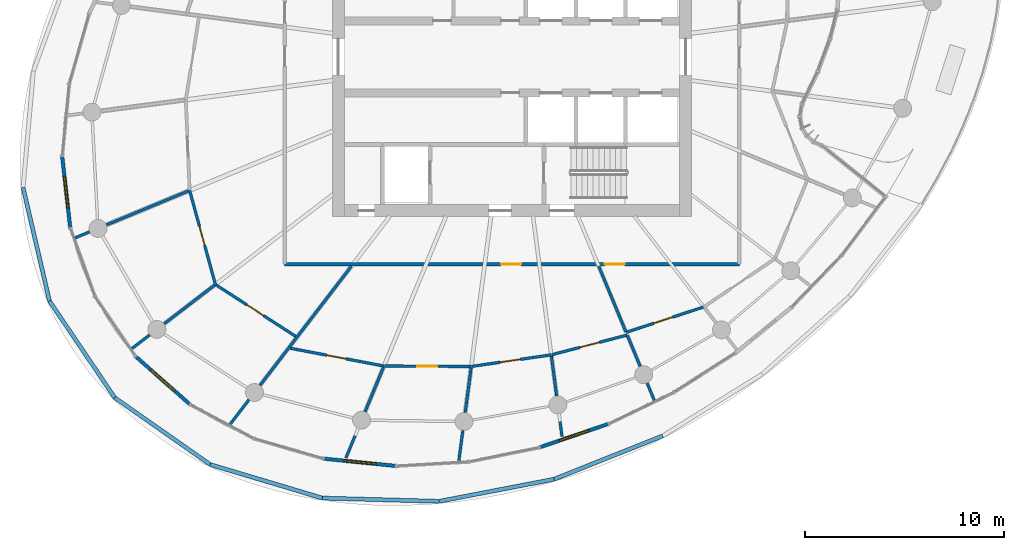
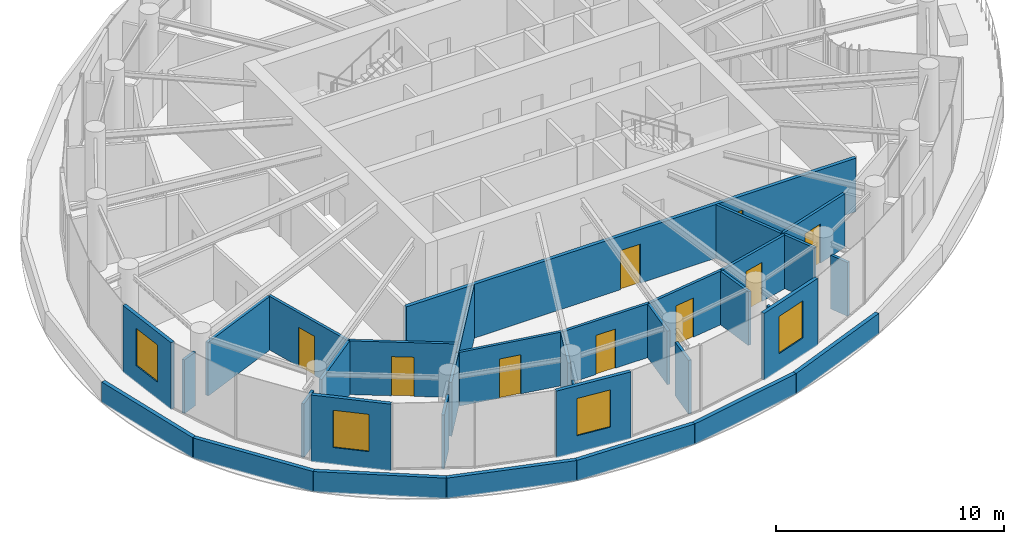
# One storey, part 11 of 19: 35 walls, 9 doors, 4 windows, 13 openings.
"""IFC4 building model written with IfcOpenShell, lengths in metres."""

from ifc_helpers import new_model, si_unit, direction, frame, frame_2d, origin, place, context, subcontext, project, spatial, rectangle, extrude, source, transform, mapped, material, layer, layer_set, type_object, element, fill, save


model = new_model("IFC4")

# Units and contexts
model_context = context("Model", 3, precision=1e-05, world=origin(), true_north=direction((0.0, 1.0)))
body_context = subcontext(model_context, "Body", "Model", "MODEL_VIEW")
ifc_project = project(units=[si_unit("LENGTHUNIT", "METRE"), si_unit("AREAUNIT", "SQUARE_METRE"), si_unit("VOLUMEUNIT", "CUBIC_METRE"), si_unit("PLANEANGLEUNIT", "RADIAN"), si_unit("MASSUNIT", "GRAM", prefix="KILO")], contexts=[model_context])

# Site, building, storey
site_placement = place(None, origin())
site = spatial("IfcSite", under=ifc_project, at=site_placement, CompositionType="ELEMENT")
building_placement = place(site_placement, origin())
building = spatial("IfcBuilding", under=site, at=building_placement, Name="Spindrift Exchange Tower", CompositionType="ELEMENT")
storey_placement = place(building_placement, frame((0.0, 0.0, 183.800048828125)))
storey = spatial("IfcBuildingStorey", under=building, at=storey_placement, Name="L44", CompositionType="ELEMENT", Elevation=183.800048828125)

# Walls
ifc_material_1 = material(Name="Concrete 40 MPa", Category="concrete")
ifc_layer_1 = layer(ifc_material_1, 0.199951171875)
ifc_layer_set_1 = layer_set([ifc_layer_1], Name="LEDGE PARAPET 1100")
wall_type_1 = type_object("IfcWallType", Name="LEDGE PARAPET 1100", PredefinedType="PARAPET", material=ifc_layer_set_1)
wall_1_placement = place(storey_placement, frame((59.556396484375, 29.005126953125, 0.0), z_axis=(0.0, 0.0, 1.0), x_axis=(-0.928728959039, -0.370759383755, 0.0)))
element("IfcWall", 1, at=wall_1_placement, inside=storey, type_object=wall_type_1, Name="L44 Ledge Parapet 4", PredefinedType="PARAPET", context=body_context, shape_type="SweptSolid", body=[
    extrude(rectangle(XDim=5.868408203125, YDim=0.199951171875, at=frame_2d((2.93408203125, 0.0))), origin(), (0.0, 0.0, 1.0), 1.099853515625),
])
wall_2_placement = place(storey_placement, frame((54.106201171875, 26.829345703125, 0.0), z_axis=(0.0, 0.0, 1.0), x_axis=(-0.981997837931, -0.188892155205, 0.0)))
element("IfcWall", 2, at=wall_2_placement, inside=storey, type_object=wall_type_1, Name="L44 Ledge Parapet 5", PredefinedType="PARAPET", context=body_context, shape_type="SweptSolid", body=[
    extrude(rectangle(XDim=5.86669921875, YDim=0.199951171875, at=frame_2d((2.933349609375, 0.0))), origin(), (0.0, 0.0, 1.0), 1.099853515625),
])
wall_3_placement = place(storey_placement, frame((48.34521484375, 25.72119140625, 0.0), z_axis=(0.0, 0.0, 1.0), x_axis=(-0.999606060355, 0.028066423024, 0.0)))
element("IfcWall", 3, at=wall_3_placement, inside=storey, type_object=wall_type_1, Name="L44 Ledge Parapet 6", PredefinedType="PARAPET", context=body_context, shape_type="SweptSolid", body=[
    extrude(rectangle(XDim=5.86279296875, YDim=0.199951171875, at=frame_2d((2.931396484375, 0.0))), origin(), (0.0, 0.0, 1.0), 1.099853515625),
])
wall_4_placement = place(storey_placement, frame((42.484619140625, 25.8857421875, 0.0), z_axis=(0.0, 0.0, 1.0), x_axis=(-0.958052046342, 0.286594271576, 0.0)))
element("IfcWall", 4, at=wall_4_placement, inside=storey, type_object=wall_type_1, Name="L44 Ledge Parapet 7", PredefinedType="PARAPET", context=body_context, shape_type="SweptSolid", body=[
    extrude(rectangle(XDim=5.855712890625, YDim=0.199951171875, at=frame_2d((2.927734375, 0.0))), origin(), (0.0, 0.0, 1.0), 1.099853515625),
])
wall_5_placement = place(storey_placement, frame((36.87451171875, 27.56396484375, 0.0), z_axis=(0.0, 0.0, 1.0), x_axis=(-0.819257423142, 0.573425910321, 0.0)))
element("IfcWall", 5, at=wall_5_placement, inside=storey, type_object=wall_type_1, Name="L44 Ledge Parapet 8", PredefinedType="PARAPET", context=body_context, shape_type="SweptSolid", body=[
    extrude(rectangle(XDim=5.846435546875, YDim=0.199951171875, at=frame_2d((2.92333984375, 0.0))), origin(), (0.0, 0.0, 1.0), 1.099853515625),
])
wall_6_placement = place(storey_placement, frame((32.084716796875, 30.91650390625, 0.0), z_axis=(0.0, 0.0, 1.0), x_axis=(-0.559388155202, 0.828905840141, 0.0)))
element("IfcWall", 6, at=wall_6_placement, inside=storey, type_object=wall_type_1, Name="L44 Ledge Parapet 9", PredefinedType="PARAPET", context=body_context, shape_type="SweptSolid", body=[
    extrude(rectangle(XDim=5.841796875, YDim=0.199951171875, at=frame_2d((2.9208984375, 0.0))), origin(), (0.0, 0.0, 1.0), 1.099853515625),
])
wall_7_placement = place(storey_placement, frame((28.81689453125, 35.7587890625, 0.0), z_axis=(0.0, 0.0, 1.0), x_axis=(-0.22693261975, 0.973910461025, 0.0)))
element("IfcWall", 7, at=wall_7_placement, inside=storey, type_object=wall_type_1, Name="L44 Ledge Parapet 10", PredefinedType="PARAPET", context=body_context, shape_type="SweptSolid", body=[
    extrude(rectangle(XDim=5.84716796875, YDim=0.199951171875, at=frame_2d((2.923583984375, 0.0))), origin(), (0.0, 0.0, 1.0), 1.099853515625),
])

# Wall, opening, window
ifc_material_2 = material(Name="Bronze anodised aluminium frame with fritted laminated glass spandrel", Category="aluminium")
ifc_layer_2 = layer(ifc_material_2, 0.179931640625)
ifc_layer_set_2 = layer_set([ifc_layer_2], Name="UNITISED FRAME WALL")
wall_type_2 = type_object("IfcWallType", Name="UNITISED FRAME WALL", PredefinedType="STANDARD", material=ifc_layer_set_2)
wall_8_placement = place(storey_placement, frame((29.45361328125, 42.998046875, 0.0), z_axis=(0.0, 0.0, 1.0), x_axis=(0.111594009662, -0.993753881506, 0.0)))
wall_8 = element("IfcWall", 8, at=wall_8_placement, inside=storey, type_object=wall_type_2, Name="L44 Frame Wall 11", PredefinedType="STANDARD", context=body_context, shape_type="SweptSolid", body=[
    extrude(rectangle(XDim=3.572509765625, YDim=0.179931640625, at=frame_2d((1.7861328125, 0.0))), origin(), (0.0, 0.0, 1.0), 3.579833984375),
])
opening_1_placement = place(wall_8_placement, frame((0.986083984375, 0.0, 0.89990234375)))
opening_1 = element("IfcOpeningElement", 9, at=opening_1_placement, cuts=wall_8, Name="Opening WV44-04", PredefinedType="OPENING", context=body_context, shape_type="SweptSolid", body=[
    extrude(rectangle(XDim=1.60009765625, YDim=2.0, at=frame_2d((0.800048828125, 1.0))), frame((0.0, 0.099853515625, 0.0), z_axis=(0.0, -1.0, 0.0), x_axis=(1.0, 0.0, 0.0)), (0.0, 0.0, 1.0), 0.199951171875),
])
ifc_material_3 = material(Name="Clear laminated low-iron glass in bronze frame", Category="glass")
window_type = type_object("IfcWindowType", Name="OPERABLE CLEAR VENT 1600X2000", PartitioningType="SINGLE_PANEL", PredefinedType="WINDOW", material=ifc_material_3)
shared_shape_1 = source(origin(), body_context, "Body", "SweptSolid", [
    extrude(rectangle(XDim=1.60009765625, YDim=2.0, at=frame_2d((0.800048828125, 1.0))), frame((0.0, 0.030029296875, 0.0), z_axis=(0.0, -1.0, 0.0), x_axis=(1.0, 0.0, 0.0)), (0.0, 0.0, 1.0), 0.06005859375),
])
window_1_placement = place(opening_1_placement, origin())
window_1 = element("IfcWindow", 10, at=window_1_placement, inside=storey, type_object=window_type, Name="L44 Operable Vent WV44-04", OverallHeight=2.0, OverallWidth=1.60009765625, PartitioningType="SINGLE_PANEL", PredefinedType="WINDOW", context=body_context, shape_type="MappedRepresentation", body=[
    mapped(shared_shape_1, transform((0.0, 0.0, 0.0), scale=1.0)),
])
fill(opening_1, window_1)

wall_9_placement = place(storey_placement, frame((33.154296875, 32.96630859375, 0.0), z_axis=(0.0, 0.0, 1.0), x_axis=(0.749604367719, -0.661886162339, 0.0)))
wall_9 = element("IfcWall", 11, at=wall_9_placement, inside=storey, type_object=wall_type_2, Name="L44 Frame Wall 14", PredefinedType="STANDARD", context=body_context, shape_type="SweptSolid", body=[
    extrude(rectangle(XDim=3.57080078125, YDim=0.179931640625, at=frame_2d((1.785400390625, 0.0))), origin(), (0.0, 0.0, 1.0), 3.579833984375),
])
opening_2_placement = place(wall_9_placement, frame((0.9853515625, 0.0, 0.89990234375)))
opening_2 = element("IfcOpeningElement", 12, at=opening_2_placement, cuts=wall_9, Name="Opening WV44-05", PredefinedType="OPENING", context=body_context, shape_type="SweptSolid", body=[
    extrude(rectangle(XDim=1.60009765625, YDim=2.0, at=frame_2d((0.800048828125, 1.0))), frame((0.0, 0.099853515625, 0.0), z_axis=(0.0, -1.0, 0.0), x_axis=(1.0, 0.0, 0.0)), (0.0, 0.0, 1.0), 0.199951171875),
])
window_2_placement = place(opening_2_placement, origin())
window_2 = element("IfcWindow", 13, at=window_2_placement, inside=storey, type_object=window_type, Name="L44 Operable Vent WV44-05", OverallHeight=2.0, OverallWidth=1.60009765625, PartitioningType="SINGLE_PANEL", PredefinedType="WINDOW", context=body_context, shape_type="MappedRepresentation", body=[
    mapped(shared_shape_1, transform((0.0, 0.0, 0.0), scale=1.0)),
])
fill(opening_2, window_2)

wall_10_placement = place(storey_placement, frame((42.593994140625, 27.8564453125, 0.0), z_axis=(0.0, 0.0, 1.0), x_axis=(0.994957099306, -0.100301398496, 0.0)))
wall_10 = element("IfcWall", 14, at=wall_10_placement, inside=storey, type_object=wall_type_2, Name="L44 Frame Wall 17", PredefinedType="STANDARD", context=body_context, shape_type="SweptSolid", body=[
    extrude(rectangle(XDim=3.57568359375, YDim=0.179931640625, at=frame_2d((1.787841796875, 0.0))), origin(), (0.0, 0.0, 1.0), 3.579833984375),
])
opening_3_placement = place(wall_10_placement, frame((0.98779296875, 0.0, 0.89990234375)))
opening_3 = element("IfcOpeningElement", 15, at=opening_3_placement, cuts=wall_10, Name="Opening WV44-06", PredefinedType="OPENING", context=body_context, shape_type="SweptSolid", body=[
    extrude(rectangle(XDim=1.60009765625, YDim=2.0, at=frame_2d((0.800048828125, 1.0))), frame((0.0, 0.099853515625, 0.0), z_axis=(0.0, -1.0, 0.0), x_axis=(1.0, 0.0, 0.0)), (0.0, 0.0, 1.0), 0.199951171875),
])
window_3_placement = place(opening_3_placement, origin())
window_3 = element("IfcWindow", 16, at=window_3_placement, inside=storey, type_object=window_type, Name="L44 Operable Vent WV44-06", OverallHeight=2.0, OverallWidth=1.60009765625, PartitioningType="SINGLE_PANEL", PredefinedType="WINDOW", context=body_context, shape_type="MappedRepresentation", body=[
    mapped(shared_shape_1, transform((0.0, 0.0, 0.0), scale=1.0)),
])
fill(opening_3, window_3)

wall_11_placement = place(storey_placement, frame((53.419921875, 28.438720703125, 0.0), z_axis=(0.0, 0.0, 1.0), x_axis=(0.946413978014, 0.322956006632, 0.0)))
wall_11 = element("IfcWall", 17, at=wall_11_placement, inside=storey, type_object=wall_type_2, Name="L44 Frame Wall 20", PredefinedType="STANDARD", context=body_context, shape_type="SweptSolid", body=[
    extrude(rectangle(XDim=3.5771484375, YDim=0.179931640625, at=frame_2d((1.78857421875, 0.0))), origin(), (0.0, 0.0, 1.0), 3.579833984375),
])
opening_4_placement = place(wall_11_placement, frame((0.98876953125, 0.0, 0.89990234375)))
opening_4 = element("IfcOpeningElement", 18, at=opening_4_placement, cuts=wall_11, Name="Opening WV44-07", PredefinedType="OPENING", context=body_context, shape_type="SweptSolid", body=[
    extrude(rectangle(XDim=1.60009765625, YDim=2.0, at=frame_2d((0.800048828125, 1.0))), frame((0.0, 0.099853515625, 0.0), z_axis=(0.0, -1.0, 0.0), x_axis=(1.0, 0.0, 0.0)), (0.0, 0.0, 1.0), 0.199951171875),
])
window_4_placement = place(opening_4_placement, origin())
window_4 = element("IfcWindow", 19, at=window_4_placement, inside=storey, type_object=window_type, Name="L44 Operable Vent WV44-07", OverallHeight=2.0, OverallWidth=1.60009765625, PartitioningType="SINGLE_PANEL", PredefinedType="WINDOW", context=body_context, shape_type="MappedRepresentation", body=[
    mapped(shared_shape_1, transform((0.0, 0.0, 0.0), scale=1.0)),
])
fill(opening_4, window_4)

# Wall, openings, doors
ifc_material_4 = material(Name="Fire-rated plasterboard partition", Category="gypsum")
ifc_layer_3 = layer(ifc_material_4, 0.179931640625)
ifc_layer_set_3 = layer_set([ifc_layer_3], Name="W-CORR-180")
wall_type_3 = type_object("IfcWallType", Name="W-CORR-180", PredefinedType="PARTITIONING", material=ifc_layer_set_3)
wall_12_placement = place(storey_placement, frame((63.39990234375, 37.60009765625, 0.0), z_axis=(0.0, 0.0, 1.0), x_axis=(-1.0, 0.0, 0.0)))
wall_12 = element("IfcWall", 20, at=wall_12_placement, inside=storey, type_object=wall_type_3, Name="L44 Partition wall 28", PredefinedType="PARTITIONING", context=body_context, shape_type="SweptSolid", body=[
    extrude(rectangle(XDim=22.7998046875, YDim=0.179931640625, at=frame_2d((11.39990234375, 0.0))), origin(), (0.0, 0.0, 1.0), 2.8798828125),
])
opening_5_placement = place(wall_12_placement, frame((10.949951171875, 0.0, 0.0)))
opening_5 = element("IfcOpeningElement", 21, at=opening_5_placement, cuts=wall_12, Name="Opening L44-D34", PredefinedType="OPENING", context=body_context, shape_type="SweptSolid", body=[
    extrude(rectangle(XDim=1.0, YDim=2.10009765625, at=frame_2d((0.5, 1.050048828125))), frame((0.0, 0.099853515625, 0.0), z_axis=(0.0, -1.0, 0.0), x_axis=(1.0, 0.0, 0.0)), (0.0, 0.0, 1.0), 0.199951171875),
])
opening_6_placement = place(wall_12_placement, frame((5.75, 0.0, 0.0)))
opening_6 = element("IfcOpeningElement", 22, at=opening_6_placement, cuts=wall_12, Name="Opening L44-D39", PredefinedType="OPENING", context=body_context, shape_type="SweptSolid", body=[
    extrude(rectangle(XDim=1.0, YDim=2.10009765625, at=frame_2d((0.5, 1.050048828125))), frame((0.0, 0.099853515625, 0.0), z_axis=(0.0, -1.0, 0.0), x_axis=(1.0, 0.0, 0.0)), (0.0, 0.0, 1.0), 0.199951171875),
])
ifc_material_5 = material(Name="Timber-core fire door", Category="wood")
door_type = type_object("IfcDoorType", Name="DR-ROOM-1000", OperationType="NOTDEFINED", PredefinedType="DOOR", material=ifc_material_5)
shared_shape_2 = source(origin(), body_context, "Body", "SweptSolid", [
    extrude(rectangle(XDim=1.0, YDim=2.10009765625, at=frame_2d((0.5, 1.050048828125))), frame((0.0, 0.02490234375, 0.0), z_axis=(0.0, -1.0, 0.0), x_axis=(1.0, 0.0, 0.0)), (0.0, 0.0, 1.0), 0.050048828125),
])
door_1_placement = place(opening_5_placement, origin())
door_1 = element("IfcDoor", 23, at=door_1_placement, inside=storey, type_object=door_type, Name="L44 Door 34", OperationType="SINGLE_SWING_LEFT", OverallHeight=2.10009765625, OverallWidth=1.0, PredefinedType="DOOR", context=body_context, shape_type="MappedRepresentation", body=[
    mapped(shared_shape_2, transform((0.0, 0.0, 0.0), scale=1.0)),
])
fill(opening_5, door_1)
door_2_placement = place(opening_6_placement, origin())
door_2 = element("IfcDoor", 24, at=door_2_placement, inside=storey, type_object=door_type, Name="L44 Door 39", OperationType="SINGLE_SWING_RIGHT", OverallHeight=2.10009765625, OverallWidth=1.0, PredefinedType="DOOR", context=body_context, shape_type="MappedRepresentation", body=[
    mapped(shared_shape_2, transform((0.0, 0.0, 0.0), scale=1.0)),
])
fill(opening_6, door_2)

# Wall
ifc_layer_4 = layer(ifc_material_4, 0.139892578125)
ifc_layer_set_4 = layer_set([ifc_layer_4], Name="W-PART-140")
wall_type_4 = type_object("IfcWallType", Name="W-PART-140", PredefinedType="PARTITIONING", material=ifc_layer_set_4)
wall_13_placement = place(storey_placement, frame((43.95068359375, 37.510009765625, 0.0), z_axis=(0.0, 0.0, 1.0), x_axis=(-0.608755854273, -0.793357617905, 0.0)))
element("IfcWall", 25, at=wall_13_placement, inside=storey, type_object=wall_type_4, Name="L44 Partition wall 31", PredefinedType="PARTITIONING", context=body_context, shape_type="SweptSolid", body=[
    extrude(rectangle(XDim=5.1669921875, YDim=0.139892578125, at=frame_2d((2.58349609375, 0.0))), origin(), (0.0, 0.0, 1.0), 2.8798828125),
])

# Wall, opening, door
wall_14_placement = place(storey_placement, frame((37.13134765625, 36.5908203125, 0.0), z_axis=(0.0, 0.0, 1.0), x_axis=(-0.264211604104, 0.964464736658, 0.0)))
wall_14 = element("IfcWall", 26, at=wall_14_placement, inside=storey, type_object=wall_type_4, Name="L44 Partition wall 33", PredefinedType="PARTITIONING", context=body_context, shape_type="SweptSolid", body=[
    extrude(rectangle(XDim=4.88916015625, YDim=0.139892578125, at=frame_2d((2.444580078125, 0.0))), origin(), (0.0, 0.0, 1.0), 2.8798828125),
])
opening_7_placement = place(wall_14_placement, frame((2.0390625, 0.0, 0.0)))
opening_7 = element("IfcOpeningElement", 27, at=opening_7_placement, cuts=wall_14, Name="Opening L44-D32", PredefinedType="OPENING", context=body_context, shape_type="SweptSolid", body=[
    extrude(rectangle(XDim=1.0, YDim=2.10009765625, at=frame_2d((0.5, 1.050048828125))), frame((0.0, 0.079833984375, 0.0), z_axis=(0.0, -1.0, 0.0), x_axis=(1.0, 0.0, 0.0)), (0.0, 0.0, 1.0), 0.159912109375),
])
door_3_placement = place(opening_7_placement, origin())
door_3 = element("IfcDoor", 28, at=door_3_placement, inside=storey, type_object=door_type, Name="L44 Door 32", OperationType="SINGLE_SWING_LEFT", OverallHeight=2.10009765625, OverallWidth=1.0, PredefinedType="DOOR", context=body_context, shape_type="MappedRepresentation", body=[
    mapped(shared_shape_2, transform((0.0, 0.0, 0.0), scale=1.0)),
])
fill(opening_7, door_3)

wall_15_placement = place(storey_placement, frame((41.160400390625, 33.98876953125, 0.0), z_axis=(0.0, 0.0, 1.0), x_axis=(-0.840031596416, 0.542537479832, 0.0)))
wall_15 = element("IfcWall", 29, at=wall_15_placement, inside=storey, type_object=wall_type_4, Name="L44 Partition wall 34", PredefinedType="PARTITIONING", context=body_context, shape_type="SweptSolid", body=[
    extrude(rectangle(XDim=4.766357421875, YDim=0.139892578125, at=frame_2d((2.38330078125, 0.0))), origin(), (0.0, 0.0, 1.0), 2.8798828125),
])
opening_8_placement = place(wall_15_placement, frame((1.91650390625, 0.0, 0.0)))
opening_8 = element("IfcOpeningElement", 30, at=opening_8_placement, cuts=wall_15, Name="Opening L44-D33", PredefinedType="OPENING", context=body_context, shape_type="SweptSolid", body=[
    extrude(rectangle(XDim=1.0, YDim=2.10009765625, at=frame_2d((0.5, 1.050048828125))), frame((0.0, 0.079833984375, 0.0), z_axis=(0.0, -1.0, 0.0), x_axis=(1.0, 0.0, 0.0)), (0.0, 0.0, 1.0), 0.159912109375),
])
door_4_placement = place(opening_8_placement, origin())
door_4 = element("IfcDoor", 31, at=door_4_placement, inside=storey, type_object=door_type, Name="L44 Door 33", OperationType="SINGLE_SWING_RIGHT", OverallHeight=2.10009765625, OverallWidth=1.0, PredefinedType="DOOR", context=body_context, shape_type="MappedRepresentation", body=[
    mapped(shared_shape_2, transform((0.0, 0.0, 0.0), scale=1.0)),
])
fill(opening_8, door_4)

wall_16_placement = place(storey_placement, frame((45.580810546875, 32.5029296875, 0.0), z_axis=(0.0, 0.0, 1.0), x_axis=(-0.982412655338, 0.186722721253, 0.0)))
wall_16 = element("IfcWall", 32, at=wall_16_placement, inside=storey, type_object=wall_type_4, Name="L44 Partition wall 35", PredefinedType="PARTITIONING", context=body_context, shape_type="SweptSolid", body=[
    extrude(rectangle(XDim=4.782958984375, YDim=0.139892578125, at=frame_2d((2.3916015625, 0.0))), origin(), (0.0, 0.0, 1.0), 2.8798828125),
])
opening_9_placement = place(wall_16_placement, frame((1.932861328125, 0.0, 0.0)))
opening_9 = element("IfcOpeningElement", 33, at=opening_9_placement, cuts=wall_16, Name="Opening L44-D35", PredefinedType="OPENING", context=body_context, shape_type="SweptSolid", body=[
    extrude(rectangle(XDim=1.0, YDim=2.10009765625, at=frame_2d((0.5, 1.050048828125))), frame((0.0, 0.079833984375, 0.0), z_axis=(0.0, -1.0, 0.0), x_axis=(1.0, 0.0, 0.0)), (0.0, 0.0, 1.0), 0.159912109375),
])
door_5_placement = place(opening_9_placement, origin())
door_5 = element("IfcDoor", 34, at=door_5_placement, inside=storey, type_object=door_type, Name="L44 Door 35", OperationType="SINGLE_SWING_RIGHT", OverallHeight=2.10009765625, OverallWidth=1.0, PredefinedType="DOOR", context=body_context, shape_type="MappedRepresentation", body=[
    mapped(shared_shape_2, transform((0.0, 0.0, 0.0), scale=1.0)),
])
fill(opening_9, door_5)

# Wall
wall_17_placement = place(storey_placement, frame((35.7744140625, 41.279052734375, 0.0), z_axis=(0.0, 0.0, 1.0), x_axis=(-0.923885643911, -0.382668677808, 0.0)))
element("IfcWall", 35, at=wall_17_placement, inside=storey, type_object=wall_type_4, Name="L44 Partition wall 38", PredefinedType="PARTITIONING", context=body_context, shape_type="SweptSolid", body=[
    extrude(rectangle(XDim=4.445556640625, YDim=0.139892578125, at=frame_2d((2.22265625, 0.0))), origin(), (0.0, 0.0, 1.0), 2.8798828125),
])

# Wall, opening, door
wall_18_placement = place(storey_placement, frame((49.95703125, 32.482177734375, 0.0), z_axis=(0.0, 0.0, 1.0), x_axis=(-0.99998886773, 0.004718518419, 0.0)))
wall_18 = element("IfcWall", 36, at=wall_18_placement, inside=storey, type_object=wall_type_4, Name="L44 Partition wall 39", PredefinedType="PARTITIONING", context=body_context, shape_type="SweptSolid", body=[
    extrude(rectangle(XDim=4.34619140625, YDim=0.139892578125, at=frame_2d((2.173095703125, 0.0))), origin(), (0.0, 0.0, 1.0), 2.8798828125),
])
opening_10_placement = place(wall_18_placement, frame((1.6962890625, 0.0, 0.0)))
opening_10 = element("IfcOpeningElement", 37, at=opening_10_placement, cuts=wall_18, Name="Opening L44-D36", PredefinedType="OPENING", context=body_context, shape_type="SweptSolid", body=[
    extrude(rectangle(XDim=1.0, YDim=2.10009765625, at=frame_2d((0.5, 1.050048828125))), frame((0.0, 0.079833984375, 0.0), z_axis=(0.0, -1.0, 0.0), x_axis=(1.0, 0.0, 0.0)), (0.0, 0.0, 1.0), 0.159912109375),
])
door_6_placement = place(opening_10_placement, origin())
door_6 = element("IfcDoor", 38, at=door_6_placement, inside=storey, type_object=door_type, Name="L44 Door 36", OperationType="SINGLE_SWING_LEFT", OverallHeight=2.10009765625, OverallWidth=1.0, PredefinedType="DOOR", context=body_context, shape_type="MappedRepresentation", body=[
    mapped(shared_shape_2, transform((0.0, 0.0, 0.0), scale=1.0)),
])
fill(opening_10, door_6)

wall_19_placement = place(storey_placement, frame((61.5888671875, 35.457275390625, 0.0), z_axis=(0.0, 0.0, 1.0), x_axis=(-0.950567170275, -0.310519008749, 0.0)))
wall_19 = element("IfcWall", 39, at=wall_19_placement, inside=storey, type_object=wall_type_4, Name="L44 Partition wall 50", PredefinedType="PARTITIONING", context=body_context, shape_type="SweptSolid", body=[
    extrude(rectangle(XDim=4.071044921875, YDim=0.139892578125, at=frame_2d((2.03564453125, 0.0))), origin(), (0.0, 0.0, 1.0), 2.8798828125),
])
opening_11_placement = place(wall_19_placement, frame((1.62109375, 0.0, 0.0)))
opening_11 = element("IfcOpeningElement", 40, at=opening_11_placement, cuts=wall_19, Name="Opening L44-D40", PredefinedType="OPENING", context=body_context, shape_type="SweptSolid", body=[
    extrude(rectangle(XDim=1.0, YDim=2.10009765625, at=frame_2d((0.5, 1.050048828125))), frame((0.0, 0.079833984375, 0.0), z_axis=(0.0, -1.0, 0.0), x_axis=(1.0, 0.0, 0.0)), (0.0, 0.0, 1.0), 0.159912109375),
])
door_7_placement = place(opening_11_placement, origin())
door_7 = element("IfcDoor", 41, at=door_7_placement, inside=storey, type_object=door_type, Name="L44 Door 40", OperationType="SINGLE_SWING_LEFT", OverallHeight=2.10009765625, OverallWidth=1.0, PredefinedType="DOOR", context=body_context, shape_type="MappedRepresentation", body=[
    mapped(shared_shape_2, transform((0.0, 0.0, 0.0), scale=1.0)),
])
fill(opening_11, door_7)

wall_20_placement = place(storey_placement, frame((53.96630859375, 33.06396484375, 0.0), z_axis=(0.0, 0.0, 1.0), x_axis=(-0.989628850434, -0.143647966879, 0.0)))
wall_20 = element("IfcWall", 42, at=wall_20_placement, inside=storey, type_object=wall_type_4, Name="L44 Partition wall 51", PredefinedType="PARTITIONING", context=body_context, shape_type="SweptSolid", body=[
    extrude(rectangle(XDim=4.021240234375, YDim=0.139892578125, at=frame_2d((2.0107421875, 0.0))), origin(), (0.0, 0.0, 1.0), 2.8798828125),
])
opening_12_placement = place(wall_20_placement, frame((1.5712890625, 0.0, 0.0)))
opening_12 = element("IfcOpeningElement", 43, at=opening_12_placement, cuts=wall_20, Name="Opening L44-D37", PredefinedType="OPENING", context=body_context, shape_type="SweptSolid", body=[
    extrude(rectangle(XDim=1.0, YDim=2.10009765625, at=frame_2d((0.5, 1.050048828125))), frame((0.0, 0.079833984375, 0.0), z_axis=(0.0, -1.0, 0.0), x_axis=(1.0, 0.0, 0.0)), (0.0, 0.0, 1.0), 0.159912109375),
])
door_8_placement = place(opening_12_placement, origin())
door_8 = element("IfcDoor", 44, at=door_8_placement, inside=storey, type_object=door_type, Name="L44 Door 37", OperationType="SINGLE_SWING_RIGHT", OverallHeight=2.10009765625, OverallWidth=1.0, PredefinedType="DOOR", context=body_context, shape_type="MappedRepresentation", body=[
    mapped(shared_shape_2, transform((0.0, 0.0, 0.0), scale=1.0)),
])
fill(opening_12, door_8)

wall_21_placement = place(storey_placement, frame((57.775390625, 34.056884765625, 0.0), z_axis=(0.0, 0.0, 1.0), x_axis=(-0.96764845844, -0.252302320398, 0.0)))
wall_21 = element("IfcWall", 45, at=wall_21_placement, inside=storey, type_object=wall_type_4, Name="L44 Partition wall 52", PredefinedType="PARTITIONING", context=body_context, shape_type="SweptSolid", body=[
    extrude(rectangle(XDim=3.906494140625, YDim=0.139892578125, at=frame_2d((1.953125, 0.0))), origin(), (0.0, 0.0, 1.0), 2.8798828125),
])
opening_13_placement = place(wall_21_placement, frame((1.456298828125, 0.0, 0.0)))
opening_13 = element("IfcOpeningElement", 46, at=opening_13_placement, cuts=wall_21, Name="Opening L44-D38", PredefinedType="OPENING", context=body_context, shape_type="SweptSolid", body=[
    extrude(rectangle(XDim=1.0, YDim=2.10009765625, at=frame_2d((0.5, 1.050048828125))), frame((0.0, 0.079833984375, 0.0), z_axis=(0.0, -1.0, 0.0), x_axis=(1.0, 0.0, 0.0)), (0.0, 0.0, 1.0), 0.159912109375),
])
door_9_placement = place(opening_13_placement, origin())
door_9 = element("IfcDoor", 47, at=door_9_placement, inside=storey, type_object=door_type, Name="L44 Door 38", OperationType="SINGLE_SWING_LEFT", OverallHeight=2.10009765625, OverallWidth=1.0, PredefinedType="DOOR", context=body_context, shape_type="MappedRepresentation", body=[
    mapped(shared_shape_2, transform((0.0, 0.0, 0.0), scale=1.0)),
])
fill(opening_13, door_9)

# Walls
wall_22_placement = place(storey_placement, frame((56.34521484375, 37.510009765625, 0.0), z_axis=(0.0, 0.0, 1.0), x_axis=(0.382666743194, -0.923886445216, 0.0)))
element("IfcWall", 48, at=wall_22_placement, inside=storey, type_object=wall_type_4, Name="L44 Partition wall 54", PredefinedType="PARTITIONING", context=body_context, shape_type="SweptSolid", body=[
    extrude(rectangle(XDim=3.56005859375, YDim=0.139892578125, at=frame_2d((1.780029296875, 0.0))), origin(), (0.0, 0.0, 1.0), 2.8798828125),
])
wall_23_placement = place(storey_placement, frame((37.107421875, 36.572509765625, 0.0), z_axis=(0.0, 0.0, 1.0), x_axis=(-0.79334944096, -0.608766510683, 0.0)))
element("IfcWall", 49, at=wall_23_placement, inside=storey, type_object=wall_type_4, Name="L44 Partition wall 61", PredefinedType="PARTITIONING", context=body_context, shape_type="SweptSolid", body=[
    extrude(rectangle(XDim=3.212646484375, YDim=0.139892578125, at=frame_2d((1.6064453125, 0.0))), origin(), (0.0, 0.0, 1.0), 2.8798828125),
])
wall_24_placement = place(storey_placement, frame((40.786865234375, 33.38671875, 0.0), z_axis=(0.0, 0.0, 1.0), x_axis=(-0.608778925589, -0.793339914386, 0.0)))
element("IfcWall", 50, at=wall_24_placement, inside=storey, type_object=wall_type_4, Name="L44 Partition wall 62", PredefinedType="PARTITIONING", context=body_context, shape_type="SweptSolid", body=[
    extrude(rectangle(XDim=2.330810546875, YDim=0.139892578125, at=frame_2d((1.16552734375, 0.0))), origin(), (0.0, 0.0, 1.0), 2.8798828125),
])
wall_25_placement = place(storey_placement, frame((45.553466796875, 32.43701171875, 0.0), z_axis=(0.0, 0.0, 1.0), x_axis=(-0.38266497151, -0.923887179032, 0.0)))
element("IfcWall", 51, at=wall_25_placement, inside=storey, type_object=wall_type_4, Name="L44 Partition wall 64", PredefinedType="PARTITIONING", context=body_context, shape_type="SweptSolid", body=[
    extrude(rectangle(XDim=2.40966796875, YDim=0.139892578125, at=frame_2d((1.204833984375, 0.0))), origin(), (0.0, 0.0, 1.0), 2.8798828125),
])
wall_26_placement = place(storey_placement, frame((49.94775390625, 32.412109375, 0.0), z_axis=(0.0, 0.0, 1.0), x_axis=(-0.130549561333, -0.991441784492, 0.0)))
element("IfcWall", 52, at=wall_26_placement, inside=storey, type_object=wall_type_4, Name="L44 Partition wall 68", PredefinedType="PARTITIONING", context=body_context, shape_type="SweptSolid", body=[
    extrude(rectangle(XDim=2.259033203125, YDim=0.139892578125, at=frame_2d((1.12939453125, 0.0))), origin(), (0.0, 0.0, 1.0), 2.8798828125),
])
wall_27_placement = place(storey_placement, frame((53.9755859375, 32.994384765625, 0.0), z_axis=(0.0, 0.0, 1.0), x_axis=(0.13051125281, -0.99144682807, 0.0)))
element("IfcWall", 53, at=wall_27_placement, inside=storey, type_object=wall_type_4, Name="L44 Partition wall 69", PredefinedType="PARTITIONING", context=body_context, shape_type="SweptSolid", body=[
    extrude(rectangle(XDim=2.00341796875, YDim=0.139892578125, at=frame_2d((1.001708984375, 0.0))), origin(), (0.0, 0.0, 1.0), 2.8798828125),
])
wall_28_placement = place(storey_placement, frame((57.786865234375, 34.029296875, 0.0), z_axis=(0.0, 0.0, 1.0), x_axis=(0.382649262881, -0.923893685235, 0.0)))
element("IfcWall", 54, at=wall_28_placement, inside=storey, type_object=wall_type_4, Name="L44 Partition wall 72", PredefinedType="PARTITIONING", context=body_context, shape_type="SweptSolid", body=[
    extrude(rectangle(XDim=1.667236328125, YDim=0.139892578125, at=frame_2d((0.83349609375, 0.0))), origin(), (0.0, 0.0, 1.0), 2.8798828125),
])
wall_29_placement = place(storey_placement, frame((44.130126953125, 29.00048828125, 0.0), z_axis=(0.0, 0.0, 1.0), x_axis=(-0.382715239219, -0.92386635704, 0.0)))
element("IfcWall", 55, at=wall_29_placement, inside=storey, type_object=wall_type_4, Name="L44 Partition wall 75", PredefinedType="PARTITIONING", context=body_context, shape_type="SweptSolid", body=[
    extrude(rectangle(XDim=1.1865234375, YDim=0.139892578125, at=frame_2d((0.59326171875, 0.0))), origin(), (0.0, 0.0, 1.0), 2.8798828125),
])
wall_30_placement = place(storey_placement, frame((37.837890625, 29.54345703125, 0.0), z_axis=(0.0, 0.0, 1.0), x_axis=(0.608680693656, 0.79341528418, 0.0)))
element("IfcWall", 56, at=wall_30_placement, inside=storey, type_object=wall_type_4, Name="L44 Partition wall 78", PredefinedType="PARTITIONING", context=body_context, shape_type="SweptSolid", body=[
    extrude(rectangle(XDim=1.6044921875, YDim=0.139892578125, at=frame_2d((0.80224609375, 0.0))), origin(), (0.0, 0.0, 1.0), 2.8798828125),
])
wall_31_placement = place(storey_placement, frame((49.5341796875, 29.27099609375, 0.0), z_axis=(0.0, 0.0, 1.0), x_axis=(-0.130392432869, -0.991462461947, 0.0)))
element("IfcWall", 57, at=wall_31_placement, inside=storey, type_object=wall_type_4, Name="L44 Partition wall 79", PredefinedType="PARTITIONING", context=body_context, shape_type="SweptSolid", body=[
    extrude(rectangle(XDim=1.52587890625, YDim=0.139892578125, at=frame_2d((0.762939453125, 0.0))), origin(), (0.0, 0.0, 1.0), 2.8798828125),
])
wall_32_placement = place(storey_placement, frame((54.407958984375, 29.710205078125, 0.0), z_axis=(0.0, 0.0, 1.0), x_axis=(0.13027669696, -0.991477676112, 0.0)))
element("IfcWall", 58, at=wall_32_placement, inside=storey, type_object=wall_type_4, Name="L44 Partition wall 80", PredefinedType="PARTITIONING", context=body_context, shape_type="SweptSolid", body=[
    extrude(rectangle(XDim=0.745849609375, YDim=0.139892578125, at=frame_2d((0.373046875, 0.0))), origin(), (0.0, 0.0, 1.0), 2.8798828125),
])
wall_33_placement = place(storey_placement, frame((33.83740234375, 34.063232421875, 0.0), z_axis=(0.0, 0.0, 1.0), x_axis=(-0.793460027174, -0.608622366725, 0.0)))
element("IfcWall", 59, at=wall_33_placement, inside=storey, type_object=wall_type_4, Name="L44 Partition wall 81", PredefinedType="PARTITIONING", context=body_context, shape_type="SweptSolid", body=[
    extrude(rectangle(XDim=1.1279296875, YDim=0.139892578125, at=frame_2d((0.56396484375, 0.0))), origin(), (0.0, 0.0, 1.0), 2.8798828125),
])
wall_34_placement = place(storey_placement, frame((58.773193359375, 31.648193359375, 0.0), z_axis=(0.0, 0.0, 1.0), x_axis=(0.382644588695, -0.92389562113, 0.0)))
element("IfcWall", 60, at=wall_34_placement, inside=storey, type_object=wall_type_4, Name="L44 Partition wall 83", PredefinedType="PARTITIONING", context=body_context, shape_type="SweptSolid", body=[
    extrude(rectangle(XDim=0.932861328125, YDim=0.139892578125, at=frame_2d((0.46630859375, 0.0))), origin(), (0.0, 0.0, 1.0), 2.8798828125),
])
wall_35_placement = place(storey_placement, frame((30.826416015625, 39.229736328125, 0.0), z_axis=(0.0, 0.0, 1.0), x_axis=(-0.923882292998, -0.382676767893, 0.0)))
element("IfcWall", 61, at=wall_35_placement, inside=storey, type_object=wall_type_4, Name="L44 Partition wall 88", PredefinedType="PARTITIONING", context=body_context, shape_type="SweptSolid", body=[
    extrude(rectangle(XDim=0.796142578125, YDim=0.139892578125, at=frame_2d((0.39794921875, 0.0))), origin(), (0.0, 0.0, 1.0), 2.8798828125),
])

save(model, "model.ifc")
